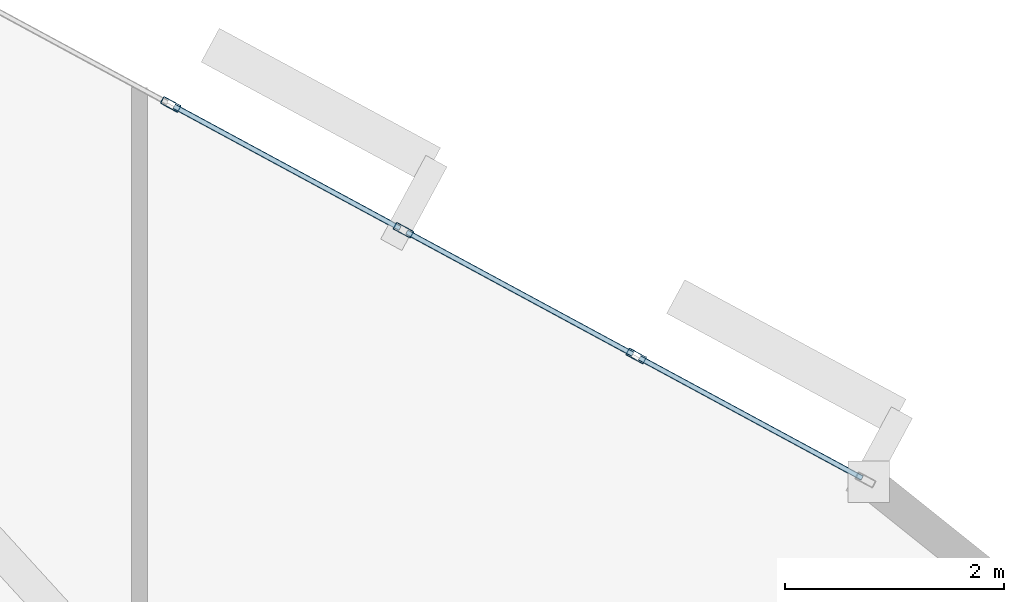
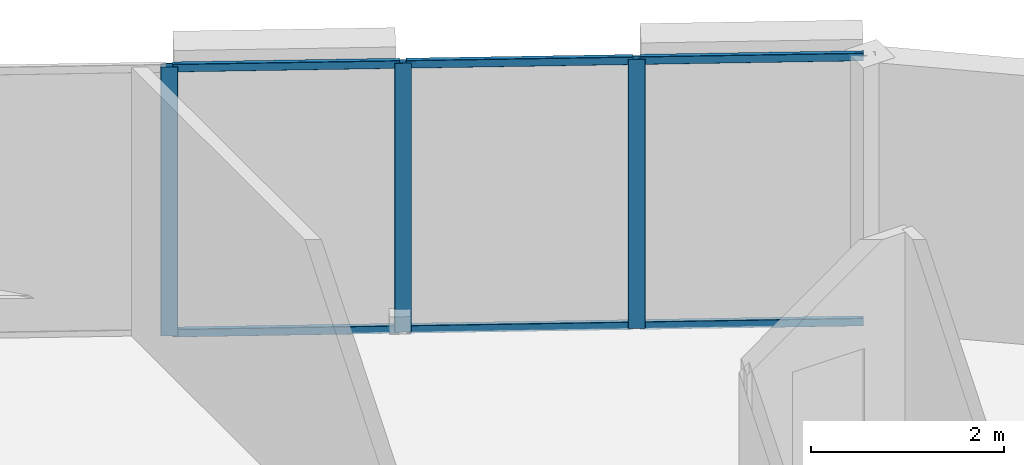
# One storey, part 6 of 15: 9 members, 1 element without a shape of its own.
"""IFC4 building model written with IfcOpenShell, lengths in metres."""

from ifc_helpers import new_model, si_unit, direction, frame, origin, origin_2d, place, context, subcontext, project, spatial, hollow_rectangle, extrude, material, layer, layer_set, material_profile, profile_set, type_object, element, aggregate, save


model = new_model("IFC4")

# Units and contexts
model_context = context("Model", 3, precision=1e-05, world=origin(), true_north=direction((0.0, 1.0)))
body_context = subcontext(model_context, "Body", "Model", "MODEL_VIEW")
ifc_project = project(units=[si_unit("LENGTHUNIT", "METRE"), si_unit("AREAUNIT", "SQUARE_METRE"), si_unit("VOLUMEUNIT", "CUBIC_METRE"), si_unit("PLANEANGLEUNIT", "RADIAN"), si_unit("MASSUNIT", "GRAM", prefix="KILO")], contexts=[model_context])

# Site, building, storey
site_placement = place(None, origin())
site = spatial("IfcSite", under=ifc_project, at=site_placement, CompositionType="ELEMENT")
building_placement = place(site_placement, origin())
building = spatial("IfcBuilding", under=site, at=building_placement, Name="An Khanh Terracotta Commons", CompositionType="ELEMENT")
storey_placement = place(building_placement, frame((0.0, 0.0, 208.5)))
storey = spatial("IfcBuildingStorey", under=building, at=storey_placement, Name="L54", CompositionType="ELEMENT", Elevation=208.5)

# Curtain wall, members
ifc_material = material(Name="Anodised Aluminium 6063-T6", Category="aluminium")
ifc_layer = layer(ifc_material, 0.2099609375, Name="Anodised Aluminium 6063-T6")
ifc_layer_set = layer_set([ifc_layer], Name="Anodised Aluminium 6063-T6")
curtain_wall_type = type_object("IfcCurtainWallType", Name="CW-SYS-03", PredefinedType="USERDEFINED", material=ifc_layer_set)
curtain_wall_placement = place(storey_placement, origin())
curtain_wall = element("IfcCurtainWall", 1, at=curtain_wall_placement, inside=storey, type_object=curtain_wall_type, Name="L54 CW-03 Unitised Curtain Wall CW-L54-16", ObjectType="UNITISED CURTAIN WALL", PredefinedType="USERDEFINED")
ifc_material_profile_1 = material_profile(ifc_material, hollow_rectangle(XDim=0.070068359375, YDim=0.179931640625, WallThickness=0.00390625, InnerFilletRadius=0.00390625, OuterFilletRadius=0.008056640625, at=origin_2d()), Name="RHS180x70x4")
ifc_profile_set_1 = profile_set([ifc_material_profile_1], Name="Anodised Aluminium 6063-T6")
member_type_1 = type_object("IfcMemberType", Name="CWM-RHS180x70x4", PredefinedType="MULLION", material=ifc_profile_set_1)
member_1_placement = place(storey_placement, frame((63.7431640625, 35.624267578125, 0.0), z_axis=(0.0, 0.0, 1.0), x_axis=(-0.47538088298, -0.879780095306, 0.0)))
member_1 = element("IfcMember", 2, at=member_1_placement, type_object=member_type_1, Name="CW-03 mullion 2", PredefinedType="MULLION", context=body_context, shape_type="SweptSolid", body=[
    extrude(hollow_rectangle(XDim=0.070068359375, YDim=0.179931640625, WallThickness=0.00390625, InnerFilletRadius=0.00390625, OuterFilletRadius=0.008056640625, at=origin_2d()), origin(), (0.0, 0.0, 1.0), 3.39990234375),
])
member_2_placement = place(storey_placement, frame((61.614501953125, 36.7744140625, 0.0), z_axis=(0.0, 0.0, 1.0), x_axis=(-0.47538088298, -0.879780095306, 0.0)))
member_2 = element("IfcMember", 3, at=member_2_placement, type_object=member_type_1, Name="CW-03 mullion 3", PredefinedType="MULLION", context=body_context, shape_type="SweptSolid", body=[
    extrude(hollow_rectangle(XDim=0.070068359375, YDim=0.179931640625, WallThickness=0.00390625, InnerFilletRadius=0.00390625, OuterFilletRadius=0.008056640625, at=origin_2d()), origin(), (0.0, 0.0, 1.0), 3.39990234375),
])
member_3_placement = place(storey_placement, frame((59.48583984375, 37.9248046875, 0.0), z_axis=(0.0, 0.0, 1.0), x_axis=(-0.47538088298, -0.879780095306, 0.0)))
member_3 = element("IfcMember", 4, at=member_3_placement, type_object=member_type_1, Name="CW-03 mullion 4", PredefinedType="MULLION", context=body_context, shape_type="SweptSolid", body=[
    extrude(hollow_rectangle(XDim=0.070068359375, YDim=0.179931640625, WallThickness=0.00390625, InnerFilletRadius=0.00390625, OuterFilletRadius=0.008056640625, at=origin_2d()), origin(), (0.0, 0.0, 1.0), 3.39990234375),
])
ifc_material_profile_2 = material_profile(ifc_material, hollow_rectangle(XDim=0.050048828125, YDim=0.10009765625, WallThickness=0.003173828125, InnerFilletRadius=0.003173828125, OuterFilletRadius=0.00634765625, at=origin_2d()), Name="RHS100x50x3.2")
ifc_profile_set_2 = profile_set([ifc_material_profile_2], Name="Anodised Aluminium 6063-T6")
member_type_2 = type_object("IfcMemberType", Name="CWT-RHS100x50x3.2", PredefinedType="USERDEFINED", material=ifc_profile_set_2)
member_4_placement = place(storey_placement, frame((65.810302734375, 34.50732421875, 0.02490234375), z_axis=(-0.879779245677, 0.475382455373, 0.0), x_axis=(-0.475382455373, -0.879779245677, 0.0)))
member_4 = element("IfcMember", 5, at=member_4_placement, type_object=member_type_2, Name="CW-03 transom 1.1", ObjectType="TRANSOM", PredefinedType="USERDEFINED", context=body_context, shape_type="SweptSolid", body=[
    extrude(hollow_rectangle(XDim=0.050048828125, YDim=0.10009765625, WallThickness=0.003173828125, InnerFilletRadius=0.003173828125, OuterFilletRadius=0.00634765625, at=origin_2d()), origin(), (0.0, 0.0, 1.0), 2.314697265625),
])
member_5_placement = place(storey_placement, frame((65.810302734375, 34.50732421875, 3.375), z_axis=(-0.879779245677, 0.475382455373, 0.0), x_axis=(-0.475382455373, -0.879779245677, 0.0)))
member_5 = element("IfcMember", 6, at=member_5_placement, type_object=member_type_2, Name="CW-03 transom 1.2", ObjectType="TRANSOM", PredefinedType="USERDEFINED", context=body_context, shape_type="SweptSolid", body=[
    extrude(hollow_rectangle(XDim=0.050048828125, YDim=0.10009765625, WallThickness=0.003173828125, InnerFilletRadius=0.003173828125, OuterFilletRadius=0.00634765625, at=origin_2d()), origin(), (0.0, 0.0, 1.0), 2.314697265625),
])
member_6_placement = place(storey_placement, frame((63.71240234375, 35.640869140625, 0.02490234375), z_axis=(-0.879782861449, 0.475375763686, 0.0), x_axis=(-0.475375763686, -0.879782861449, 0.0)))
member_6 = element("IfcMember", 7, at=member_6_placement, type_object=member_type_2, Name="CW-03 transom 2.1", ObjectType="TRANSOM", PredefinedType="USERDEFINED", context=body_context, shape_type="SweptSolid", body=[
    extrude(hollow_rectangle(XDim=0.050048828125, YDim=0.10009765625, WallThickness=0.003173828125, InnerFilletRadius=0.003173828125, OuterFilletRadius=0.00634765625, at=origin_2d()), origin(), (0.0, 0.0, 1.0), 2.349609375),
])
member_7_placement = place(storey_placement, frame((63.71240234375, 35.640869140625, 3.375), z_axis=(-0.879782861449, 0.475375763686, 0.0), x_axis=(-0.475375763686, -0.879782861449, 0.0)))
member_7 = element("IfcMember", 8, at=member_7_placement, type_object=member_type_2, Name="CW-03 transom 2.2", ObjectType="TRANSOM", PredefinedType="USERDEFINED", context=body_context, shape_type="SweptSolid", body=[
    extrude(hollow_rectangle(XDim=0.050048828125, YDim=0.10009765625, WallThickness=0.003173828125, InnerFilletRadius=0.003173828125, OuterFilletRadius=0.00634765625, at=origin_2d()), origin(), (0.0, 0.0, 1.0), 2.349609375),
])
member_8_placement = place(storey_placement, frame((61.583740234375, 36.791259765625, 0.02490234375), z_axis=(-0.879782861449, 0.475375763686, 0.0), x_axis=(-0.475375763686, -0.879782861449, 0.0)))
member_8 = element("IfcMember", 9, at=member_8_placement, type_object=member_type_2, Name="CW-03 transom 3.1", ObjectType="TRANSOM", PredefinedType="USERDEFINED", context=body_context, shape_type="SweptSolid", body=[
    extrude(hollow_rectangle(XDim=0.050048828125, YDim=0.10009765625, WallThickness=0.003173828125, InnerFilletRadius=0.003173828125, OuterFilletRadius=0.00634765625, at=origin_2d()), origin(), (0.0, 0.0, 1.0), 2.349609375),
])
member_9_placement = place(storey_placement, frame((61.583740234375, 36.791259765625, 3.375), z_axis=(-0.879782861449, 0.475375763686, 0.0), x_axis=(-0.475375763686, -0.879782861449, 0.0)))
member_9 = element("IfcMember", 10, at=member_9_placement, type_object=member_type_2, Name="CW-03 transom 3.2", ObjectType="TRANSOM", PredefinedType="USERDEFINED", context=body_context, shape_type="SweptSolid", body=[
    extrude(hollow_rectangle(XDim=0.050048828125, YDim=0.10009765625, WallThickness=0.003173828125, InnerFilletRadius=0.003173828125, OuterFilletRadius=0.00634765625, at=origin_2d()), origin(), (0.0, 0.0, 1.0), 2.349609375),
])
aggregate(curtain_wall, [member_1, member_2, member_3, member_4, member_5, member_6, member_7, member_8, member_9])

save(model, "model.ifc")
